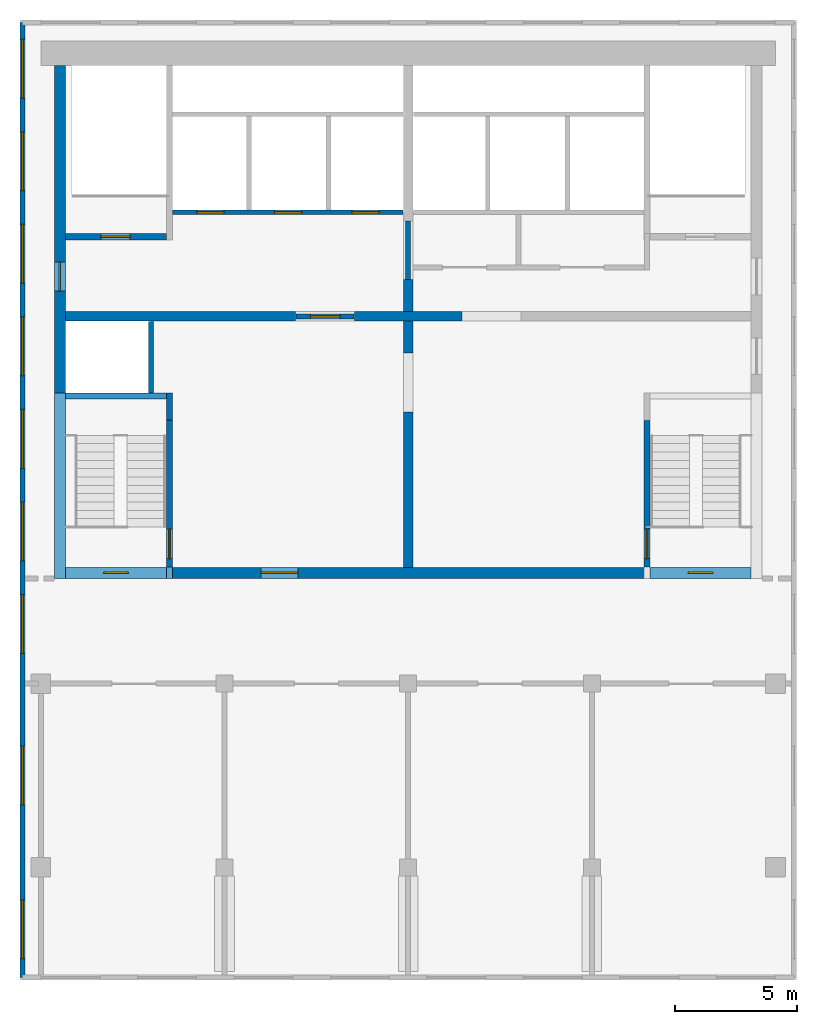
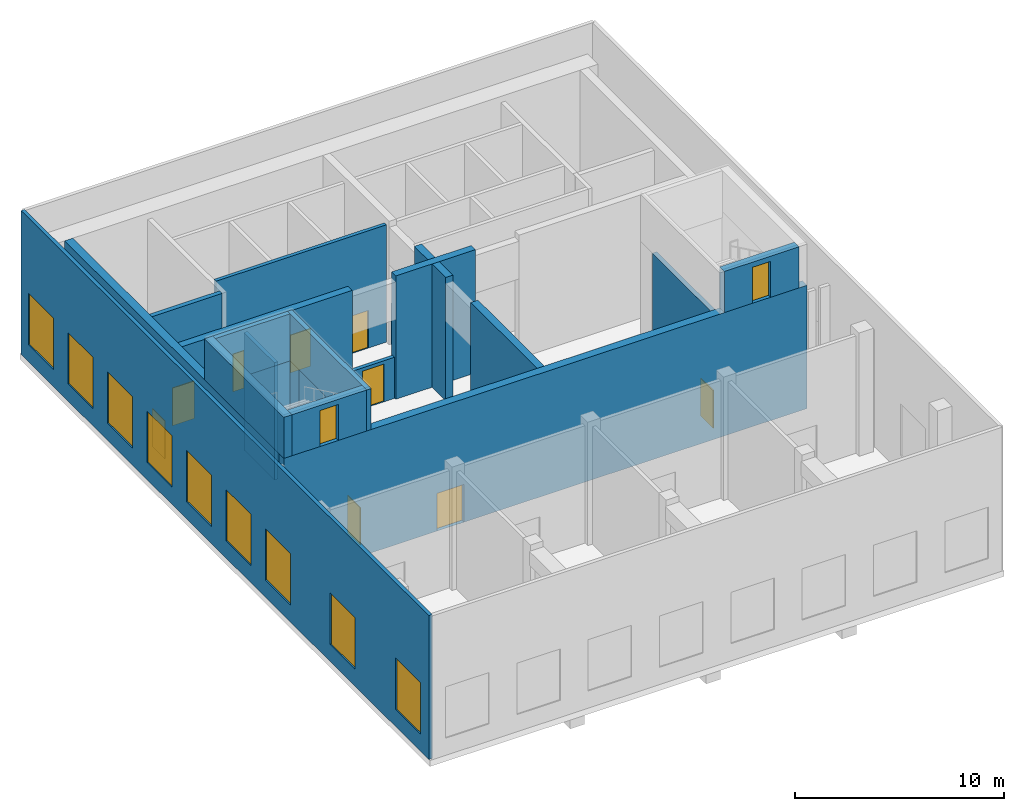
# One storey, part 2 of 5: 22 walls, 11 doors, 9 windows, 20 openings.
"""IFC4 building model written with IfcOpenShell, lengths in metres."""

from ifc_helpers import new_model, si_unit, direction, frame, frame_2d, origin, place, context, subcontext, project, spatial, rectangle, extrude, material, layer, layer_set, type_object, element, fill, save


model = new_model("IFC4")

# Units and contexts
model_context = context("Model", 3, precision=1e-05, world=origin(), true_north=direction((0.0, 1.0)))
body_context = subcontext(model_context, "Body", "Model", "MODEL_VIEW")
ifc_project = project(units=[si_unit("LENGTHUNIT", "METRE"), si_unit("AREAUNIT", "SQUARE_METRE"), si_unit("VOLUMEUNIT", "CUBIC_METRE"), si_unit("PLANEANGLEUNIT", "RADIAN"), si_unit("MASSUNIT", "GRAM", prefix="KILO")], contexts=[model_context])

# Site, building, storey
site_placement = place(None, origin())
site = spatial("IfcSite", under=ifc_project, at=site_placement, CompositionType="ELEMENT")
building_placement = place(site_placement, origin())
building = spatial("IfcBuilding", under=site, at=building_placement, Name="Pilkhan Gate Tower", CompositionType="ELEMENT")
storey_placement = place(building_placement, frame((0.0, 0.0, 292.699951171875)))
storey = spatial("IfcBuildingStorey", under=building, at=storey_placement, Name="RF", CompositionType="ELEMENT", Elevation=292.699951171875)

# Wall, opening, door
ifc_material_1 = material(Name="Concrete C50/60", Category="concrete")
ifc_layer_1 = layer(ifc_material_1, 0.449951171875)
ifc_layer_set_1 = layer_set([ifc_layer_1], Name="Core wall CW450 C50/60")
wall_type_1 = type_object("IfcWallType", Name="Core wall CW450 C50/60", PredefinedType="SHEAR", material=ifc_layer_set_1)
wall_1_placement = place(storey_placement, frame((60.550048828125, 72.02490234375, 0.0), z_axis=(0.0, 0.0, 1.0), x_axis=(1.0, 0.0, 0.0)))
wall_1 = element("IfcWall", 1, at=wall_1_placement, inside=storey, type_object=wall_type_1, Name="Core wall S RF", PredefinedType="SHEAR", context=body_context, shape_type="SweptSolid", body=[
    extrude(rectangle(XDim=28.89990234375, YDim=0.449951171875, at=frame_2d((14.449951171875, 0.0))), origin(), (0.0, 0.0, 1.0), 7.199951171875),
])
opening_1_placement = place(wall_1_placement, frame((8.449951171875, 0.0, 0.0)))
opening_1 = element("IfcOpeningElement", 2, at=opening_1_placement, cuts=wall_1, Name="Opening RF-06", PredefinedType="OPENING", context=body_context, shape_type="SweptSolid", body=[
    extrude(rectangle(XDim=1.5, YDim=2.199951171875, at=frame_2d((0.75, 1.10009765625))), frame((0.0, 0.23486328125, 0.0), z_axis=(0.0, -1.0, 0.0), x_axis=(1.0, 0.0, 0.0)), (0.0, 0.0, 1.0), 0.469970703125),
])
ifc_material_2 = material(Name="Steel framed glazed door, 60 minute fire resisting", Category="steel")
door_type_1 = type_object("IfcDoorType", Name="Lobby door D09 1500x2200", OperationType="DOUBLE_DOOR_SINGLE_SWING", PredefinedType="DOOR", material=ifc_material_2)
door_1_placement = place(opening_1_placement, origin())
door_1 = element("IfcDoor", 3, at=door_1_placement, inside=storey, type_object=door_type_1, Name="Core door", OperationType="DOUBLE_DOOR_SINGLE_SWING", OverallHeight=2.199951171875, OverallWidth=1.5, PredefinedType="DOOR", context=body_context, shape_type="SweptSolid", body=[
    extrude(rectangle(XDim=1.5, YDim=2.199951171875, at=frame_2d((0.75, 1.10009765625))), frame((0.0, 0.02490234375, 0.0), z_axis=(0.0, -1.0, 0.0), x_axis=(1.0, 0.0, 0.0)), (0.0, 0.0, 1.0), 0.050048828125),
])
fill(opening_1, door_1)

wall_2_placement = place(storey_placement, frame((60.77490234375, 92.75, 0.0), z_axis=(0.0, 0.0, 1.0), x_axis=(0.0, -1.0, 0.0)))
wall_2 = element("IfcWall", 4, at=wall_2_placement, inside=storey, type_object=wall_type_1, Name="Core wall W RF", PredefinedType="SHEAR", context=body_context, shape_type="SweptSolid", body=[
    extrude(rectangle(XDim=20.5, YDim=0.449951171875, at=frame_2d((10.25, 0.0))), origin(), (0.0, 0.0, 1.0), 7.199951171875),
])
opening_2_placement = place(wall_2_placement, frame((8.02490234375, 0.0, 0.0)))
opening_2 = element("IfcOpeningElement", 5, at=opening_2_placement, cuts=wall_2, Name="Opening RF-08", PredefinedType="OPENING", context=body_context, shape_type="SweptSolid", body=[
    extrude(rectangle(XDim=1.199951171875, YDim=2.199951171875, at=frame_2d((0.60009765625, 1.10009765625))), frame((0.0, 0.23486328125, 0.0), z_axis=(0.0, -1.0, 0.0), x_axis=(1.0, 0.0, 0.0)), (0.0, 0.0, 1.0), 0.469970703125),
])
ifc_material_3 = material(Name="Steel door, 120 minute fire resisting, self-closing", Category="steel")
door_type_2 = type_object("IfcDoorType", Name="Firefighting lobby door D10 1200x2200", OperationType="SINGLE_SWING_LEFT", PredefinedType="DOOR", material=ifc_material_3)
door_2_placement = place(opening_2_placement, origin())
door_2 = element("IfcDoor", 6, at=door_2_placement, inside=storey, type_object=door_type_2, Name="Core door", OperationType="SINGLE_SWING_LEFT", OverallHeight=2.199951171875, OverallWidth=1.199951171875, PredefinedType="DOOR", context=body_context, shape_type="SweptSolid", body=[
    extrude(rectangle(XDim=1.199951171875, YDim=2.199951171875, at=frame_2d((0.60009765625, 1.10009765625))), frame((0.0, 0.02490234375, 0.0), z_axis=(0.0, -1.0, 0.0), x_axis=(1.0, 0.0, 0.0)), (0.0, 0.0, 1.0), 0.050048828125),
])
fill(opening_2, door_2)

# Walls
ifc_material_4 = material(Name="Reinforced blockwork, 120 minute fire resisting", Category="masonry")
ifc_layer_2 = layer(ifc_material_4, 0.25)
ifc_layer_set_2 = layer_set([ifc_layer_2], Name="Head house wall HW250")
wall_type_2 = type_object("IfcWallType", Name="Head house wall HW250", PredefinedType="SOLIDWALL", material=ifc_layer_set_2)
wall_3_placement = place(storey_placement, frame((65.25, 71.800048828125, 6.85009765625), z_axis=(0.0, 0.0, 1.0), x_axis=(0.0, 1.0, 0.0)))
element("IfcWall", 7, at=wall_3_placement, inside=storey, type_object=wall_type_2, Name="Stair ST2 head house wall", PredefinedType="SOLIDWALL", context=body_context, shape_type="SweptSolid", body=[
    extrude(rectangle(XDim=7.574951171875, YDim=0.25, at=frame_2d((3.78759765625, 0.0))), origin(), (0.0, 0.0, 1.0), 2.75),
])
wall_4_placement = place(storey_placement, frame((61.0, 79.25, 6.85009765625), z_axis=(0.0, 0.0, 1.0), x_axis=(1.0, 0.0, 0.0)))
element("IfcWall", 8, at=wall_4_placement, inside=storey, type_object=wall_type_2, Name="Stair ST2 head house wall", PredefinedType="SOLIDWALL", context=body_context, shape_type="SweptSolid", body=[
    extrude(rectangle(XDim=4.125, YDim=0.25, at=frame_2d((2.0625, 0.0))), origin(), (0.0, 0.0, 1.0), 2.75),
])

# Wall, opening, door
ifc_layer_3 = layer(ifc_material_1, 0.449951171875)
ifc_layer_set_3 = layer_set([ifc_layer_3], Name="Head house wall HW450 C50/60")
wall_type_3 = type_object("IfcWallType", Name="Head house wall HW450 C50/60", PredefinedType="SHEAR", material=ifc_layer_set_3)
wall_5_placement = place(storey_placement, frame((89.0, 72.02490234375, 7.199951171875), z_axis=(0.0, 0.0, 1.0), x_axis=(-1.0, 0.0, 0.0)))
wall_5 = element("IfcWall", 9, at=wall_5_placement, inside=storey, type_object=wall_type_3, Name="Stair ST1 head house wall", PredefinedType="SHEAR", context=body_context, shape_type="SweptSolid", body=[
    extrude(rectangle(XDim=4.125, YDim=0.449951171875, at=frame_2d((2.0625, 0.0))), origin(), (0.0, 0.0, 1.0), 2.400146484375),
])
opening_3_placement = place(wall_5_placement, frame((1.5625, 0.0, 0.0)))
opening_3 = element("IfcOpeningElement", 10, at=opening_3_placement, cuts=wall_5, Name="Opening RF-16", PredefinedType="OPENING", context=body_context, shape_type="SweptSolid", body=[
    extrude(rectangle(XDim=1.0, YDim=2.10009765625, at=frame_2d((0.5, 1.050048828125))), frame((0.0, 0.23486328125, 0.0), z_axis=(0.0, -1.0, 0.0), x_axis=(1.0, 0.0, 0.0)), (0.0, 0.0, 1.0), 0.469970703125),
])
ifc_material_5 = material(Name="Steel door, 120 minute fire resisting, panic bar", Category="steel")
door_type_3 = type_object("IfcDoorType", Name="Roof access door D12 1000x2100", OperationType="SINGLE_SWING_LEFT", PredefinedType="DOOR", material=ifc_material_5)
door_3_placement = place(opening_3_placement, origin())
door_3 = element("IfcDoor", 11, at=door_3_placement, inside=storey, type_object=door_type_3, Name="Stair ST1 roof access door", OperationType="SINGLE_SWING_RIGHT", OverallHeight=2.10009765625, OverallWidth=1.0, PredefinedType="DOOR", context=body_context, shape_type="SweptSolid", body=[
    extrude(rectangle(XDim=1.0, YDim=2.10009765625, at=frame_2d((0.5, 1.050048828125))), frame((0.0, 0.02490234375, 0.0), z_axis=(0.0, -1.0, 0.0), x_axis=(1.0, 0.0, 0.0)), (0.0, 0.0, 1.0), 0.050048828125),
])
fill(opening_3, door_3)

# Wall
wall_6_placement = place(storey_placement, frame((60.77490234375, 71.800048828125, 7.199951171875), z_axis=(0.0, 0.0, 1.0), x_axis=(0.0, 1.0, 0.0)))
element("IfcWall", 12, at=wall_6_placement, inside=storey, type_object=wall_type_3, Name="Stair ST2 head house wall", PredefinedType="SHEAR", context=body_context, shape_type="SweptSolid", body=[
    extrude(rectangle(XDim=7.574951171875, YDim=0.449951171875, at=frame_2d((3.78759765625, 0.0))), origin(), (0.0, 0.0, 1.0), 2.400146484375),
])

# Wall, opening, door
wall_7_placement = place(storey_placement, frame((65.125, 72.02490234375, 7.199951171875), z_axis=(0.0, 0.0, 1.0), x_axis=(-1.0, 0.0, 0.0)))
wall_7 = element("IfcWall", 13, at=wall_7_placement, inside=storey, type_object=wall_type_3, Name="Stair ST2 head house wall", PredefinedType="SHEAR", context=body_context, shape_type="SweptSolid", body=[
    extrude(rectangle(XDim=4.125, YDim=0.449951171875, at=frame_2d((2.0625, 0.0))), origin(), (0.0, 0.0, 1.0), 2.400146484375),
])
opening_4_placement = place(wall_7_placement, frame((1.5625, 0.0, 0.0)))
opening_4 = element("IfcOpeningElement", 14, at=opening_4_placement, cuts=wall_7, Name="Opening RF-17", PredefinedType="OPENING", context=body_context, shape_type="SweptSolid", body=[
    extrude(rectangle(XDim=1.0, YDim=2.10009765625, at=frame_2d((0.5, 1.050048828125))), frame((0.0, 0.23486328125, 0.0), z_axis=(0.0, -1.0, 0.0), x_axis=(1.0, 0.0, 0.0)), (0.0, 0.0, 1.0), 0.469970703125),
])
door_4_placement = place(opening_4_placement, origin())
door_4 = element("IfcDoor", 15, at=door_4_placement, inside=storey, type_object=door_type_3, Name="Stair ST2 roof access door", OperationType="SINGLE_SWING_LEFT", OverallHeight=2.10009765625, OverallWidth=1.0, PredefinedType="DOOR", context=body_context, shape_type="SweptSolid", body=[
    extrude(rectangle(XDim=1.0, YDim=2.10009765625, at=frame_2d((0.5, 1.050048828125))), frame((0.0, 0.02490234375, 0.0), z_axis=(0.0, -1.0, 0.0), x_axis=(1.0, 0.0, 0.0)), (0.0, 0.0, 1.0), 0.050048828125),
])
fill(opening_4, door_4)

ifc_material_6 = material(Name="Dense blockwork", Category="masonry")
ifc_layer_4 = layer(ifc_material_6, 0.199951171875)
ifc_layer_set_4 = layer_set([ifc_layer_4], Name="Lobby wall LW200")
wall_type_4 = type_object("IfcWallType", Name="Lobby wall LW200", PredefinedType="PARTITIONING", material=ifc_layer_set_4)
wall_8_placement = place(storey_placement, frame((70.409912109375, 82.5, 0.0), z_axis=(0.0, 0.0, 1.0), x_axis=(1.0, 0.0, 0.0)))
wall_8 = element("IfcWall", 16, at=wall_8_placement, inside=storey, type_object=wall_type_4, Name="Partition RF", PredefinedType="PARTITIONING", context=body_context, shape_type="SweptSolid", body=[
    extrude(rectangle(XDim=2.380126953125, YDim=0.199951171875, at=frame_2d((1.18994140625, 0.0))), origin(), (0.0, 0.0, 1.0), 2.400146484375),
])
opening_5_placement = place(wall_8_placement, frame((0.60009765625, 0.0, 0.0)))
opening_5 = element("IfcOpeningElement", 17, at=opening_5_placement, cuts=wall_8, Name="Opening RF-01", PredefinedType="OPENING", context=body_context, shape_type="SweptSolid", body=[
    extrude(rectangle(XDim=1.199951171875, YDim=2.199951171875, at=frame_2d((0.60009765625, 1.10009765625))), frame((0.0, 0.10986328125, 0.0), z_axis=(0.0, -1.0, 0.0), x_axis=(1.0, 0.0, 0.0)), (0.0, 0.0, 1.0), 0.219970703125),
])
door_5_placement = place(opening_5_placement, origin())
door_5 = element("IfcDoor", 18, at=door_5_placement, inside=storey, type_object=door_type_2, Name="Firefighting lobby door", OperationType="SINGLE_SWING_RIGHT", OverallHeight=2.199951171875, OverallWidth=1.199951171875, PredefinedType="DOOR", context=body_context, shape_type="SweptSolid", body=[
    extrude(rectangle(XDim=1.199951171875, YDim=2.199951171875, at=frame_2d((0.60009765625, 1.10009765625))), frame((0.0, 0.02490234375, 0.0), z_axis=(0.0, -1.0, 0.0), x_axis=(1.0, 0.0, 0.0)), (0.0, 0.0, 1.0), 0.050048828125),
])
fill(opening_5, door_5)

# Wall
wall_9_placement = place(storey_placement, frame((75.0, 84.010009765625, 0.0), z_axis=(0.0, 0.0, 1.0), x_axis=(0.0, 1.0, 0.0)))
element("IfcWall", 19, at=wall_9_placement, inside=storey, type_object=wall_type_4, Name="Partition RF", PredefinedType="PARTITIONING", context=body_context, shape_type="SweptSolid", body=[
    extrude(rectangle(XDim=2.3798828125, YDim=0.199951171875, at=frame_2d((1.18994140625, 0.0))), origin(), (0.0, 0.0, 1.0), 2.400146484375),
])

# Wall, openings, windows
ifc_material_7 = material(Name="Pale anodised aluminium cladding", Category="aluminium")
ifc_layer_5 = layer(ifc_material_7, 0.199951171875)
ifc_layer_set_5 = layer_set([ifc_layer_5], Name="Plant screen wall PS200")
wall_type_5 = type_object("IfcWallType", Name="Plant screen wall PS200", PredefinedType="SOLIDWALL", material=ifc_layer_set_5)
wall_10_placement = place(storey_placement, frame((59.25, 55.5, 0.0), z_axis=(0.0, 0.0, 1.0), x_axis=(0.0, 1.0, 0.0)))
wall_10 = element("IfcWall", 20, at=wall_10_placement, inside=storey, type_object=wall_type_5, Name="Plant screen wall RF W", PredefinedType="SOLIDWALL", context=body_context, shape_type="SweptSolid", body=[
    extrude(rectangle(XDim=39.0, YDim=0.199951171875, at=frame_2d((19.5, 0.0))), origin(), (0.0, 0.0, 1.0), 8.400146484375),
])
opening_6_placement = place(wall_10_placement, frame((0.77490234375, 0.0, 1.0)))
opening_6 = element("IfcOpeningElement", 21, at=opening_6_placement, cuts=wall_10, Name="Opening WL1", PredefinedType="OPENING", context=body_context, shape_type="SweptSolid", body=[
    extrude(rectangle(XDim=2.39990234375, YDim=3.0, at=frame_2d((1.199951171875, 1.5))), frame((0.0, 0.10986328125, 0.0), z_axis=(0.0, -1.0, 0.0), x_axis=(1.0, 0.0, 0.0)), (0.0, 0.0, 1.0), 0.219970703125),
])
opening_7_placement = place(wall_10_placement, frame((7.050048828125, 0.0, 1.0)))
opening_7 = element("IfcOpeningElement", 22, at=opening_7_placement, cuts=wall_10, Name="Opening WL1", PredefinedType="OPENING", context=body_context, shape_type="SweptSolid", body=[
    extrude(rectangle(XDim=2.39990234375, YDim=3.0, at=frame_2d((1.199951171875, 1.5))), frame((0.0, 0.10986328125, 0.0), z_axis=(0.0, -1.0, 0.0), x_axis=(1.0, 0.0, 0.0)), (0.0, 0.0, 1.0), 0.219970703125),
])
opening_8_placement = place(wall_10_placement, frame((13.2392578125, 0.0, 1.0)))
opening_8 = element("IfcOpeningElement", 23, at=opening_8_placement, cuts=wall_10, Name="Opening WL1", PredefinedType="OPENING", context=body_context, shape_type="SweptSolid", body=[
    extrude(rectangle(XDim=2.39990234375, YDim=3.0, at=frame_2d((1.199951171875, 1.5))), frame((0.0, 0.10986328125, 0.0), z_axis=(0.0, -1.0, 0.0), x_axis=(1.0, 0.0, 0.0)), (0.0, 0.0, 1.0), 0.219970703125),
])
opening_9_placement = place(wall_10_placement, frame((17.017822265625, 0.0, 1.0)))
opening_9 = element("IfcOpeningElement", 24, at=opening_9_placement, cuts=wall_10, Name="Opening WL1", PredefinedType="OPENING", context=body_context, shape_type="SweptSolid", body=[
    extrude(rectangle(XDim=2.39990234375, YDim=3.0, at=frame_2d((1.199951171875, 1.5))), frame((0.0, 0.10986328125, 0.0), z_axis=(0.0, -1.0, 0.0), x_axis=(1.0, 0.0, 0.0)), (0.0, 0.0, 1.0), 0.219970703125),
])
opening_10_placement = place(wall_10_placement, frame((20.79638671875, 0.0, 1.0)))
opening_10 = element("IfcOpeningElement", 25, at=opening_10_placement, cuts=wall_10, Name="Opening WL1", PredefinedType="OPENING", context=body_context, shape_type="SweptSolid", body=[
    extrude(rectangle(XDim=2.39990234375, YDim=3.0, at=frame_2d((1.199951171875, 1.5))), frame((0.0, 0.10986328125, 0.0), z_axis=(0.0, -1.0, 0.0), x_axis=(1.0, 0.0, 0.0)), (0.0, 0.0, 1.0), 0.219970703125),
])
opening_11_placement = place(wall_10_placement, frame((24.574951171875, 0.0, 1.0)))
opening_11 = element("IfcOpeningElement", 26, at=opening_11_placement, cuts=wall_10, Name="Opening WL1", PredefinedType="OPENING", context=body_context, shape_type="SweptSolid", body=[
    extrude(rectangle(XDim=2.39990234375, YDim=3.0, at=frame_2d((1.199951171875, 1.5))), frame((0.0, 0.10986328125, 0.0), z_axis=(0.0, -1.0, 0.0), x_axis=(1.0, 0.0, 0.0)), (0.0, 0.0, 1.0), 0.219970703125),
])
opening_12_placement = place(wall_10_placement, frame((28.353515625, 0.0, 1.0)))
opening_12 = element("IfcOpeningElement", 27, at=opening_12_placement, cuts=wall_10, Name="Opening WL1", PredefinedType="OPENING", context=body_context, shape_type="SweptSolid", body=[
    extrude(rectangle(XDim=2.39990234375, YDim=3.0, at=frame_2d((1.199951171875, 1.5))), frame((0.0, 0.10986328125, 0.0), z_axis=(0.0, -1.0, 0.0), x_axis=(1.0, 0.0, 0.0)), (0.0, 0.0, 1.0), 0.219970703125),
])
opening_13_placement = place(wall_10_placement, frame((32.132080078125, 0.0, 1.0)))
opening_13 = element("IfcOpeningElement", 28, at=opening_13_placement, cuts=wall_10, Name="Opening WL1", PredefinedType="OPENING", context=body_context, shape_type="SweptSolid", body=[
    extrude(rectangle(XDim=2.39990234375, YDim=3.0, at=frame_2d((1.199951171875, 1.5))), frame((0.0, 0.10986328125, 0.0), z_axis=(0.0, -1.0, 0.0), x_axis=(1.0, 0.0, 0.0)), (0.0, 0.0, 1.0), 0.219970703125),
])
opening_14_placement = place(wall_10_placement, frame((35.91064453125, 0.0, 1.0)))
opening_14 = element("IfcOpeningElement", 29, at=opening_14_placement, cuts=wall_10, Name="Opening WL1", PredefinedType="OPENING", context=body_context, shape_type="SweptSolid", body=[
    extrude(rectangle(XDim=2.39990234375, YDim=3.0, at=frame_2d((1.199951171875, 1.5))), frame((0.0, 0.10986328125, 0.0), z_axis=(0.0, -1.0, 0.0), x_axis=(1.0, 0.0, 0.0)), (0.0, 0.0, 1.0), 0.219970703125),
])
ifc_material_8 = material(Name="Pale anodised aluminium storm louvre, bird mesh", Category="aluminium")
window_type = type_object("IfcWindowType", Name="Plant louvre WL1 2400x3000", PartitioningType="SINGLE_PANEL", PredefinedType="USERDEFINED", material=ifc_material_8)
window_1_placement = place(opening_6_placement, origin())
window_1 = element("IfcWindow", 30, at=window_1_placement, inside=storey, type_object=window_type, Name="Louvre RF", ObjectType="LOUVRE", OverallHeight=3.0, OverallWidth=2.39990234375, PartitioningType="SINGLE_PANEL", PredefinedType="USERDEFINED", context=body_context, shape_type="SweptSolid", body=[
    extrude(rectangle(XDim=2.39990234375, YDim=3.0, at=frame_2d((1.199951171875, 1.5))), frame((0.0, 0.030029296875, 0.0), z_axis=(0.0, -1.0, 0.0), x_axis=(1.0, 0.0, 0.0)), (0.0, 0.0, 1.0), 0.06005859375),
])
fill(opening_6, window_1)
window_2_placement = place(opening_7_placement, origin())
window_2 = element("IfcWindow", 31, at=window_2_placement, inside=storey, type_object=window_type, Name="Louvre RF", ObjectType="LOUVRE", OverallHeight=3.0, OverallWidth=2.39990234375, PartitioningType="SINGLE_PANEL", PredefinedType="USERDEFINED", context=body_context, shape_type="SweptSolid", body=[
    extrude(rectangle(XDim=2.39990234375, YDim=3.0, at=frame_2d((1.199951171875, 1.5))), frame((0.0, 0.030029296875, 0.0), z_axis=(0.0, -1.0, 0.0), x_axis=(1.0, 0.0, 0.0)), (0.0, 0.0, 1.0), 0.06005859375),
])
fill(opening_7, window_2)
window_3_placement = place(opening_8_placement, origin())
window_3 = element("IfcWindow", 32, at=window_3_placement, inside=storey, type_object=window_type, Name="Louvre RF", ObjectType="LOUVRE", OverallHeight=3.0, OverallWidth=2.39990234375, PartitioningType="SINGLE_PANEL", PredefinedType="USERDEFINED", context=body_context, shape_type="SweptSolid", body=[
    extrude(rectangle(XDim=2.39990234375, YDim=3.0, at=frame_2d((1.199951171875, 1.5))), frame((0.0, 0.030029296875, 0.0), z_axis=(0.0, -1.0, 0.0), x_axis=(1.0, 0.0, 0.0)), (0.0, 0.0, 1.0), 0.06005859375),
])
fill(opening_8, window_3)
window_4_placement = place(opening_9_placement, origin())
window_4 = element("IfcWindow", 33, at=window_4_placement, inside=storey, type_object=window_type, Name="Louvre RF", ObjectType="LOUVRE", OverallHeight=3.0, OverallWidth=2.39990234375, PartitioningType="SINGLE_PANEL", PredefinedType="USERDEFINED", context=body_context, shape_type="SweptSolid", body=[
    extrude(rectangle(XDim=2.39990234375, YDim=3.0, at=frame_2d((1.199951171875, 1.5))), frame((0.0, 0.030029296875, 0.0), z_axis=(0.0, -1.0, 0.0), x_axis=(1.0, 0.0, 0.0)), (0.0, 0.0, 1.0), 0.06005859375),
])
fill(opening_9, window_4)
window_5_placement = place(opening_10_placement, origin())
window_5 = element("IfcWindow", 34, at=window_5_placement, inside=storey, type_object=window_type, Name="Louvre RF", ObjectType="LOUVRE", OverallHeight=3.0, OverallWidth=2.39990234375, PartitioningType="SINGLE_PANEL", PredefinedType="USERDEFINED", context=body_context, shape_type="SweptSolid", body=[
    extrude(rectangle(XDim=2.39990234375, YDim=3.0, at=frame_2d((1.199951171875, 1.5))), frame((0.0, 0.030029296875, 0.0), z_axis=(0.0, -1.0, 0.0), x_axis=(1.0, 0.0, 0.0)), (0.0, 0.0, 1.0), 0.06005859375),
])
fill(opening_10, window_5)
window_6_placement = place(opening_11_placement, origin())
window_6 = element("IfcWindow", 35, at=window_6_placement, inside=storey, type_object=window_type, Name="Louvre RF", ObjectType="LOUVRE", OverallHeight=3.0, OverallWidth=2.39990234375, PartitioningType="SINGLE_PANEL", PredefinedType="USERDEFINED", context=body_context, shape_type="SweptSolid", body=[
    extrude(rectangle(XDim=2.39990234375, YDim=3.0, at=frame_2d((1.199951171875, 1.5))), frame((0.0, 0.030029296875, 0.0), z_axis=(0.0, -1.0, 0.0), x_axis=(1.0, 0.0, 0.0)), (0.0, 0.0, 1.0), 0.06005859375),
])
fill(opening_11, window_6)
window_7_placement = place(opening_12_placement, origin())
window_7 = element("IfcWindow", 36, at=window_7_placement, inside=storey, type_object=window_type, Name="Louvre RF", ObjectType="LOUVRE", OverallHeight=3.0, OverallWidth=2.39990234375, PartitioningType="SINGLE_PANEL", PredefinedType="USERDEFINED", context=body_context, shape_type="SweptSolid", body=[
    extrude(rectangle(XDim=2.39990234375, YDim=3.0, at=frame_2d((1.199951171875, 1.5))), frame((0.0, 0.030029296875, 0.0), z_axis=(0.0, -1.0, 0.0), x_axis=(1.0, 0.0, 0.0)), (0.0, 0.0, 1.0), 0.06005859375),
])
fill(opening_12, window_7)
window_8_placement = place(opening_13_placement, origin())
window_8 = element("IfcWindow", 37, at=window_8_placement, inside=storey, type_object=window_type, Name="Louvre RF", ObjectType="LOUVRE", OverallHeight=3.0, OverallWidth=2.39990234375, PartitioningType="SINGLE_PANEL", PredefinedType="USERDEFINED", context=body_context, shape_type="SweptSolid", body=[
    extrude(rectangle(XDim=2.39990234375, YDim=3.0, at=frame_2d((1.199951171875, 1.5))), frame((0.0, 0.030029296875, 0.0), z_axis=(0.0, -1.0, 0.0), x_axis=(1.0, 0.0, 0.0)), (0.0, 0.0, 1.0), 0.06005859375),
])
fill(opening_13, window_8)
window_9_placement = place(opening_14_placement, origin())
window_9 = element("IfcWindow", 38, at=window_9_placement, inside=storey, type_object=window_type, Name="Louvre RF", ObjectType="LOUVRE", OverallHeight=3.0, OverallWidth=2.39990234375, PartitioningType="SINGLE_PANEL", PredefinedType="USERDEFINED", context=body_context, shape_type="SweptSolid", body=[
    extrude(rectangle(XDim=2.39990234375, YDim=3.0, at=frame_2d((1.199951171875, 1.5))), frame((0.0, 0.030029296875, 0.0), z_axis=(0.0, -1.0, 0.0), x_axis=(1.0, 0.0, 0.0)), (0.0, 0.0, 1.0), 0.06005859375),
])
fill(opening_14, window_9)

# Wall, openings, doors
ifc_material_9 = material(Name="Reinforced blockwork shaft wall, 120 minute fire resisting", Category="masonry")
ifc_layer_6 = layer(ifc_material_9, 0.199951171875)
ifc_layer_set_6 = layer_set([ifc_layer_6], Name="Shaft wall SW200")
wall_type_6 = type_object("IfcWallType", Name="Shaft wall SW200", PredefinedType="PARTITIONING", material=ifc_layer_set_6)
wall_11_placement = place(storey_placement, frame((65.375, 86.75, 0.0), z_axis=(0.0, 0.0, 1.0), x_axis=(1.0, 0.0, 0.0)))
wall_11 = element("IfcWall", 39, at=wall_11_placement, inside=storey, type_object=wall_type_6, Name="Partition RF", PredefinedType="PARTITIONING", context=body_context, shape_type="SweptSolid", body=[
    extrude(rectangle(XDim=9.4150390625, YDim=0.199951171875, at=frame_2d((4.70751953125, 0.0))), origin(), (0.0, 0.0, 1.0), 6.85009765625),
])
opening_15_placement = place(wall_11_placement, frame((1.0, 0.0, 0.0)))
opening_15 = element("IfcOpeningElement", 40, at=opening_15_placement, cuts=wall_11, Name="Opening LD", PredefinedType="OPENING", context=body_context, shape_type="SweptSolid", body=[
    extrude(rectangle(XDim=1.10009765625, YDim=2.199951171875, at=frame_2d((0.550048828125, 1.10009765625))), frame((0.0, 0.10986328125, 0.0), z_axis=(0.0, -1.0, 0.0), x_axis=(1.0, 0.0, 0.0)), (0.0, 0.0, 1.0), 0.219970703125),
])
opening_16_placement = place(wall_11_placement, frame((4.175048828125, 0.0, 0.0)))
opening_16 = element("IfcOpeningElement", 41, at=opening_16_placement, cuts=wall_11, Name="Opening LD", PredefinedType="OPENING", context=body_context, shape_type="SweptSolid", body=[
    extrude(rectangle(XDim=1.10009765625, YDim=2.199951171875, at=frame_2d((0.550048828125, 1.10009765625))), frame((0.0, 0.10986328125, 0.0), z_axis=(0.0, -1.0, 0.0), x_axis=(1.0, 0.0, 0.0)), (0.0, 0.0, 1.0), 0.219970703125),
])
opening_17_placement = place(wall_11_placement, frame((7.324951171875, 0.0, 0.0)))
opening_17 = element("IfcOpeningElement", 42, at=opening_17_placement, cuts=wall_11, Name="Opening LD", PredefinedType="OPENING", context=body_context, shape_type="SweptSolid", body=[
    extrude(rectangle(XDim=1.10009765625, YDim=2.199951171875, at=frame_2d((0.550048828125, 1.10009765625))), frame((0.0, 0.10986328125, 0.0), z_axis=(0.0, -1.0, 0.0), x_axis=(1.0, 0.0, 0.0)), (0.0, 0.0, 1.0), 0.219970703125),
])
ifc_material_10 = material(Name="Stainless steel centre-opening landing door, 120 minute fire resisting", Category="steel")
door_type_4 = type_object("IfcDoorType", Name="Lift landing door LD 1100x2200", OperationType="DOUBLE_DOOR_SLIDING", PredefinedType="DOOR", material=ifc_material_10)
door_6_placement = place(opening_15_placement, origin())
door_6 = element("IfcDoor", 43, at=door_6_placement, inside=storey, type_object=door_type_4, Name="Landing door FF1", OperationType="DOUBLE_DOOR_SLIDING", OverallHeight=2.199951171875, OverallWidth=1.10009765625, PredefinedType="DOOR", context=body_context, shape_type="SweptSolid", body=[
    extrude(rectangle(XDim=1.10009765625, YDim=2.199951171875, at=frame_2d((0.550048828125, 1.10009765625))), frame((0.0, 0.02490234375, 0.0), z_axis=(0.0, -1.0, 0.0), x_axis=(1.0, 0.0, 0.0)), (0.0, 0.0, 1.0), 0.050048828125),
])
fill(opening_15, door_6)
door_7_placement = place(opening_16_placement, origin())
door_7 = element("IfcDoor", 44, at=door_7_placement, inside=storey, type_object=door_type_4, Name="Landing door FF2", OperationType="DOUBLE_DOOR_SLIDING", OverallHeight=2.199951171875, OverallWidth=1.10009765625, PredefinedType="DOOR", context=body_context, shape_type="SweptSolid", body=[
    extrude(rectangle(XDim=1.10009765625, YDim=2.199951171875, at=frame_2d((0.550048828125, 1.10009765625))), frame((0.0, 0.02490234375, 0.0), z_axis=(0.0, -1.0, 0.0), x_axis=(1.0, 0.0, 0.0)), (0.0, 0.0, 1.0), 0.050048828125),
])
fill(opening_16, door_7)
door_8_placement = place(opening_17_placement, origin())
door_8 = element("IfcDoor", 45, at=door_8_placement, inside=storey, type_object=door_type_4, Name="Landing door SV1", OperationType="DOUBLE_DOOR_SLIDING", OverallHeight=2.199951171875, OverallWidth=1.10009765625, PredefinedType="DOOR", context=body_context, shape_type="SweptSolid", body=[
    extrude(rectangle(XDim=1.10009765625, YDim=2.199951171875, at=frame_2d((0.550048828125, 1.10009765625))), frame((0.0, 0.02490234375, 0.0), z_axis=(0.0, -1.0, 0.0), x_axis=(1.0, 0.0, 0.0)), (0.0, 0.0, 1.0), 0.050048828125),
])
fill(opening_17, door_8)

# Walls
wall_12_placement = place(storey_placement, frame((64.5, 79.375, 0.0), z_axis=(0.0, 0.0, 1.0), x_axis=(0.0, 1.0, 0.0)))
element("IfcWall", 46, at=wall_12_placement, inside=storey, type_object=wall_type_6, Name="Partition RF", PredefinedType="PARTITIONING", context=body_context, shape_type="SweptSolid", body=[
    extrude(rectangle(XDim=2.9150390625, YDim=0.199951171875, at=frame_2d((1.45751953125, 0.0))), origin(), (0.0, 0.0, 1.0), 6.85009765625),
])
ifc_layer_7 = layer(ifc_material_1, 0.39990234375)
ifc_layer_set_7 = layer_set([ifc_layer_7], Name="Spine wall SW400 C50/60")
wall_type_7 = type_object("IfcWallType", Name="Spine wall SW400 C50/60", PredefinedType="SHEAR", material=ifc_layer_set_7)
wall_13_placement = place(storey_placement, frame((61.0, 82.5, 0.0), z_axis=(0.0, 0.0, 1.0), x_axis=(1.0, 0.0, 0.0)))
element("IfcWall", 47, at=wall_13_placement, inside=storey, type_object=wall_type_7, Name="Spine wall SP-EW1 RF", PredefinedType="SHEAR", context=body_context, shape_type="SweptSolid", body=[
    extrude(rectangle(XDim=9.39990234375, YDim=0.39990234375, at=frame_2d((4.699951171875, 0.0))), origin(), (0.0, 0.0, 1.0), 7.199951171875),
])
wall_14_placement = place(storey_placement, frame((72.800048828125, 82.5, 0.0), z_axis=(0.0, 0.0, 1.0), x_axis=(1.0, 0.0, 0.0)))
element("IfcWall", 48, at=wall_14_placement, inside=storey, type_object=wall_type_7, Name="Spine wall SP-EW2 RF", PredefinedType="SHEAR", context=body_context, shape_type="SweptSolid", body=[
    extrude(rectangle(XDim=4.39990234375, YDim=0.39990234375, at=frame_2d((2.199951171875, 0.0))), origin(), (0.0, 0.0, 1.0), 7.199951171875),
])
wall_15_placement = place(storey_placement, frame((75.0, 72.25, 0.0), z_axis=(0.0, 0.0, 1.0), x_axis=(0.0, 1.0, 0.0)))
element("IfcWall", 49, at=wall_15_placement, inside=storey, type_object=wall_type_7, Name="Spine wall SP-NS-S1 RF", PredefinedType="SHEAR", context=body_context, shape_type="SweptSolid", body=[
    extrude(rectangle(XDim=6.35009765625, YDim=0.39990234375, at=frame_2d((3.175048828125, 0.0))), origin(), (0.0, 0.0, 1.0), 7.199951171875),
])
for number, where, z_axis, x_axis, name in (
    (50, (75.0, 81.0, 0.0), (0.0, 0.0, 1.0), (0.0, 1.0, 0.0), "Spine wall SP-NS-S2 RF"),
    (51, (75.0, 82.699951171875, 0.0), (0.0, 0.0, 1.0), (0.0, 1.0, 0.0), "Spine wall SP-NS-N1 RF"),
):
    element("IfcWall", number, at=place(storey_placement, frame(where, z_axis=z_axis, x_axis=x_axis)), inside=storey, type_object=wall_type_7, Name=name, PredefinedType="SHEAR", context=body_context, shape_type="SweptSolid", body=[
        extrude(rectangle(XDim=1.300048828125, YDim=0.39990234375, at=frame_2d((0.64990234375, 0.0))), origin(), (0.0, 0.0, 1.0), 7.199951171875),
    ])
ifc_layer_8 = layer(ifc_material_4, 0.25)
ifc_layer_set_8 = layer_set([ifc_layer_8], Name="Stair enclosure wall SE250")
wall_type_8 = type_object("IfcWallType", Name="Stair enclosure wall SE250", PredefinedType="PARTITIONING", material=ifc_layer_set_8)
wall_16_placement = place(storey_placement, frame((61.0, 79.25, 0.0), z_axis=(0.0, 0.0, 1.0), x_axis=(1.0, 0.0, 0.0)))
element("IfcWall", 52, at=wall_16_placement, inside=storey, type_object=wall_type_8, Name="Partition RF", PredefinedType="PARTITIONING", context=body_context, shape_type="SweptSolid", body=[
    extrude(rectangle(XDim=4.125, YDim=0.25, at=frame_2d((2.0625, 0.0))), origin(), (0.0, 0.0, 1.0), 6.85009765625),
])

# Wall, opening, door
wall_17_placement = place(storey_placement, frame((61.0, 85.75, 0.0), z_axis=(0.0, 0.0, 1.0), x_axis=(1.0, 0.0, 0.0)))
wall_17 = element("IfcWall", 53, at=wall_17_placement, inside=storey, type_object=wall_type_8, Name="Partition RF", PredefinedType="PARTITIONING", context=body_context, shape_type="SweptSolid", body=[
    extrude(rectangle(XDim=4.125, YDim=0.25, at=frame_2d((2.0625, 0.0))), origin(), (0.0, 0.0, 1.0), 6.85009765625),
])
opening_18_placement = place(wall_17_placement, frame((1.449951171875, 0.0, 0.0)))
opening_18 = element("IfcOpeningElement", 54, at=opening_18_placement, cuts=wall_17, Name="Opening RF-02", PredefinedType="OPENING", context=body_context, shape_type="SweptSolid", body=[
    extrude(rectangle(XDim=1.199951171875, YDim=2.199951171875, at=frame_2d((0.60009765625, 1.10009765625))), frame((0.0, 0.135009765625, 0.0), z_axis=(0.0, -1.0, 0.0), x_axis=(1.0, 0.0, 0.0)), (0.0, 0.0, 1.0), 0.27001953125),
])
door_type_5 = type_object("IfcDoorType", Name="Stair door D11 1200x2200", OperationType="SINGLE_SWING_LEFT", PredefinedType="DOOR", material=ifc_material_5)
door_9_placement = place(opening_18_placement, origin())
door_9 = element("IfcDoor", 55, at=door_9_placement, inside=storey, type_object=door_type_5, Name="Stair ST3 lobby door", OperationType="SINGLE_SWING_RIGHT", OverallHeight=2.199951171875, OverallWidth=1.199951171875, PredefinedType="DOOR", context=body_context, shape_type="SweptSolid", body=[
    extrude(rectangle(XDim=1.199951171875, YDim=2.199951171875, at=frame_2d((0.60009765625, 1.10009765625))), frame((0.0, 0.02490234375, 0.0), z_axis=(0.0, -1.0, 0.0), x_axis=(1.0, 0.0, 0.0)), (0.0, 0.0, 1.0), 0.050048828125),
])
fill(opening_18, door_9)

wall_18_placement = place(storey_placement, frame((65.25, 72.260009765625, 0.0), z_axis=(0.0, 0.0, 1.0), x_axis=(0.0, 1.0, 0.0)))
wall_18 = element("IfcWall", 56, at=wall_18_placement, inside=storey, type_object=wall_type_8, Name="Partition RF", PredefinedType="PARTITIONING", context=body_context, shape_type="SweptSolid", body=[
    extrude(rectangle(XDim=5.989990234375, YDim=0.25, at=frame_2d((2.9951171875, 0.0))), origin(), (0.0, 0.0, 1.0), 6.85009765625),
])
opening_19_placement = place(wall_18_placement, frame((0.35009765625, 0.0, 0.0)))
opening_19 = element("IfcOpeningElement", 57, at=opening_19_placement, cuts=wall_18, Name="Opening RF-04", PredefinedType="OPENING", context=body_context, shape_type="SweptSolid", body=[
    extrude(rectangle(XDim=1.199951171875, YDim=2.199951171875, at=frame_2d((0.60009765625, 1.10009765625))), frame((0.0, 0.135009765625, 0.0), z_axis=(0.0, -1.0, 0.0), x_axis=(1.0, 0.0, 0.0)), (0.0, 0.0, 1.0), 0.27001953125),
])
door_10_placement = place(opening_19_placement, origin())
door_10 = element("IfcDoor", 58, at=door_10_placement, inside=storey, type_object=door_type_5, Name="Stair ST2 lobby door", OperationType="SINGLE_SWING_RIGHT", OverallHeight=2.199951171875, OverallWidth=1.199951171875, PredefinedType="DOOR", context=body_context, shape_type="SweptSolid", body=[
    extrude(rectangle(XDim=1.199951171875, YDim=2.199951171875, at=frame_2d((0.60009765625, 1.10009765625))), frame((0.0, 0.02490234375, 0.0), z_axis=(0.0, -1.0, 0.0), x_axis=(1.0, 0.0, 0.0)), (0.0, 0.0, 1.0), 0.050048828125),
])
fill(opening_19, door_10)

# Wall
wall_19_placement = place(storey_placement, frame((65.25, 78.260009765625, 0.0), z_axis=(0.0, 0.0, 1.0), x_axis=(0.0, 1.0, 0.0)))
element("IfcWall", 59, at=wall_19_placement, inside=storey, type_object=wall_type_8, Name="Partition RF", PredefinedType="PARTITIONING", context=body_context, shape_type="SweptSolid", body=[
    extrude(rectangle(XDim=1.114990234375, YDim=0.25, at=frame_2d((0.5576171875, 0.0))), origin(), (0.0, 0.0, 1.0), 6.85009765625),
])

# Wall, opening, door
wall_20_placement = place(storey_placement, frame((84.75, 72.260009765625, 0.0), z_axis=(0.0, 0.0, 1.0), x_axis=(0.0, 1.0, 0.0)))
wall_20 = element("IfcWall", 60, at=wall_20_placement, inside=storey, type_object=wall_type_8, Name="Partition RF", PredefinedType="PARTITIONING", context=body_context, shape_type="SweptSolid", body=[
    extrude(rectangle(XDim=5.989990234375, YDim=0.25, at=frame_2d((2.9951171875, 0.0))), origin(), (0.0, 0.0, 1.0), 6.85009765625),
])
opening_20_placement = place(wall_20_placement, frame((0.35009765625, 0.0, 0.0)))
opening_20 = element("IfcOpeningElement", 61, at=opening_20_placement, cuts=wall_20, Name="Opening RF-05", PredefinedType="OPENING", context=body_context, shape_type="SweptSolid", body=[
    extrude(rectangle(XDim=1.199951171875, YDim=2.199951171875, at=frame_2d((0.60009765625, 1.10009765625))), frame((0.0, 0.135009765625, 0.0), z_axis=(0.0, -1.0, 0.0), x_axis=(1.0, 0.0, 0.0)), (0.0, 0.0, 1.0), 0.27001953125),
])
door_11_placement = place(opening_20_placement, origin())
door_11 = element("IfcDoor", 62, at=door_11_placement, inside=storey, type_object=door_type_5, Name="Stair ST1 lobby door", OperationType="SINGLE_SWING_RIGHT", OverallHeight=2.199951171875, OverallWidth=1.199951171875, PredefinedType="DOOR", context=body_context, shape_type="SweptSolid", body=[
    extrude(rectangle(XDim=1.199951171875, YDim=2.199951171875, at=frame_2d((0.60009765625, 1.10009765625))), frame((0.0, 0.02490234375, 0.0), z_axis=(0.0, -1.0, 0.0), x_axis=(1.0, 0.0, 0.0)), (0.0, 0.0, 1.0), 0.050048828125),
])
fill(opening_20, door_11)

save(model, "model.ifc")
